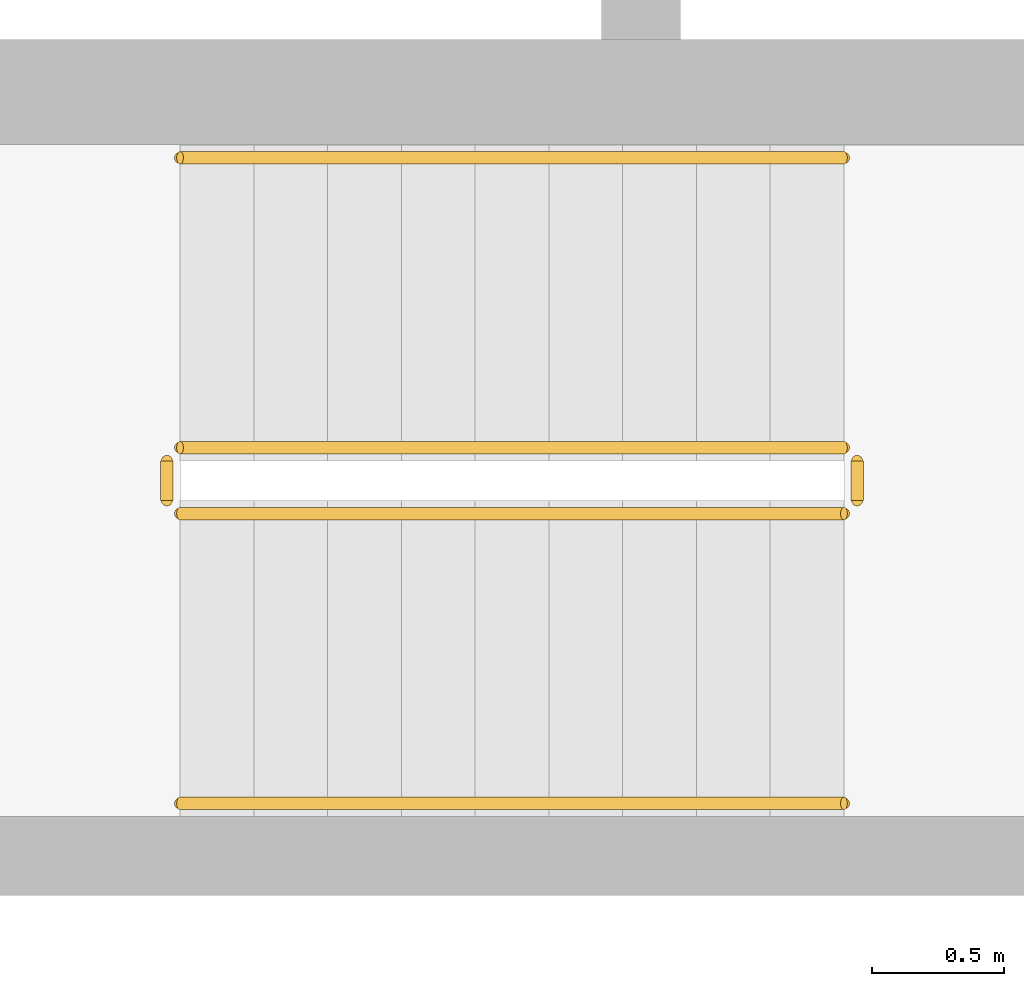
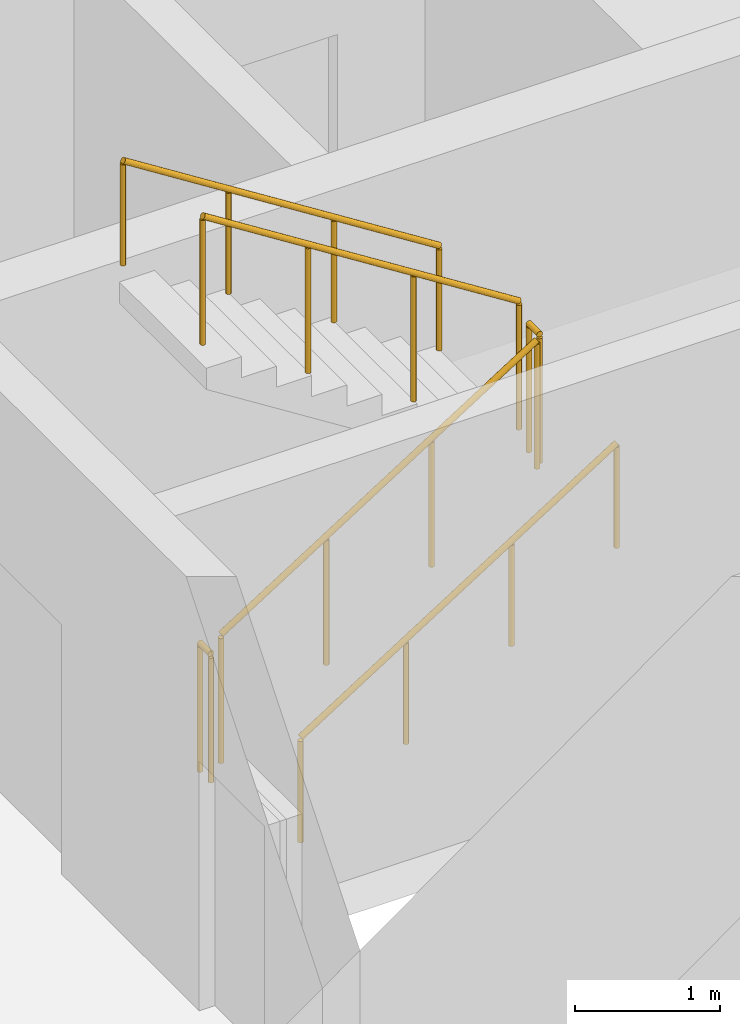
# One storey, part 16 of 19: 6 railings.
"""IFC4 building model written with IfcOpenShell, lengths in metres."""

from ifc_helpers import new_model, si_unit, direction, frame, origin, origin_2d, place, context, subcontext, project, spatial, circle, extrude, material, type_object, element, save


model = new_model("IFC4")

# Units and contexts
model_context = context("Model", 3, precision=1e-05, world=origin(), true_north=direction((0.0, 1.0)))
body_context = subcontext(model_context, "Body", "Model", "MODEL_VIEW")
ifc_project = project(units=[si_unit("LENGTHUNIT", "METRE"), si_unit("AREAUNIT", "SQUARE_METRE"), si_unit("VOLUMEUNIT", "CUBIC_METRE"), si_unit("PLANEANGLEUNIT", "RADIAN"), si_unit("MASSUNIT", "GRAM", prefix="KILO")], contexts=[model_context])

# Site, building, storey
site_placement = place(None, origin())
site = spatial("IfcSite", under=ifc_project, at=site_placement, CompositionType="ELEMENT")
building_placement = place(site_placement, origin())
building = spatial("IfcBuilding", under=site, at=building_placement, Name="Ostrand Prow Hotel Tower", CompositionType="ELEMENT")
storey_placement = place(building_placement, frame((0.0, 0.0, 50.25)))
storey = spatial("IfcBuildingStorey", under=building, at=storey_placement, Name="L10", CompositionType="ELEMENT", Elevation=50.25)

# Railings
ifc_material_1 = material(Name="Painted steel", Category="steel")
railing_type_1 = type_object("IfcRailingType", Name="Stair guard 1100", PredefinedType="GUARDRAIL", material=ifc_material_1)
railing_1_placement = place(storey_placement, frame((57.199951171875, -11.75, 0.177490234375)))
element("IfcRailing", 1, at=railing_1_placement, inside=storey, type_object=railing_type_1, Name="L10 ST2C stair guard 1", PredefinedType="GUARDRAIL", context=body_context, shape_type="SweptSolid", body=[
    extrude(circle(Radius=0.02392578125, at=origin_2d()), frame((0.0, 0.0, 1.076171875), z_axis=(0.84460694969, 0.0, 0.535386869969), x_axis=(0.0, 1.0, 0.0)), (0.0, 0.0, 1.0), 2.983642578125),
    extrude(circle(Radius=0.02099609375, at=origin_2d()), origin(), (0.0, 0.0, 1.0), 1.052001953125),
    extrude(circle(Radius=0.02099609375, at=origin_2d()), frame((0.840087890625, 0.0, 0.532470703125)), (0.0, 0.0, 1.0), 1.052001953125),
    extrude(circle(Radius=0.02099609375, at=origin_2d()), frame((1.679931640625, 0.0, 1.06494140625)), (0.0, 0.0, 1.0), 1.052001953125),
    extrude(circle(Radius=0.02099609375, at=origin_2d()), frame((2.52001953125, 0.0, 1.597412109375)), (0.0, 0.0, 1.0), 1.052001953125),
])
railing_2_placement = place(storey_placement, frame((59.77001953125, -11.699951171875, 1.77490234375)))
element("IfcRailing", 2, at=railing_2_placement, inside=storey, type_object=railing_type_1, Name="L10 ST2C stair guard 2", PredefinedType="GUARDRAIL", context=body_context, shape_type="SweptSolid", body=[
    extrude(circle(Radius=0.02392578125, at=origin_2d()), frame((0.0, 0.0, 1.076171875), z_axis=(0.0, 1.0, 0.0), x_axis=(-1.0, 0.0, 0.0)), (0.0, 0.0, 1.0), 0.14990234375),
    extrude(circle(Radius=0.02099609375, at=origin_2d()), origin(), (0.0, 0.0, 1.0), 1.052001953125),
    extrude(circle(Radius=0.02099609375, at=origin_2d()), frame((0.0, 0.14990234375, 0.0)), (0.0, 0.0, 1.0), 1.052001953125),
])
railing_3_placement = place(storey_placement, frame((59.719970703125, -11.5, 1.952392578125)))
element("IfcRailing", 3, at=railing_3_placement, inside=storey, type_object=railing_type_1, Name="L10 ST2C stair guard 3", PredefinedType="GUARDRAIL", context=body_context, shape_type="SweptSolid", body=[
    extrude(circle(Radius=0.02392578125, at=origin_2d()), frame((0.0, 0.0, 1.076171875), z_axis=(-0.84456994832, 0.0, 0.535445237532), x_axis=(0.0, -1.0, 0.0)), (0.0, 0.0, 1.0), 2.98388671875),
    extrude(circle(Radius=0.02099609375, at=origin_2d()), origin(), (0.0, 0.0, 1.0), 1.052001953125),
    extrude(circle(Radius=0.02099609375, at=origin_2d()), frame((-0.840087890625, 0.0, 0.532470703125)), (0.0, 0.0, 1.0), 1.052001953125),
    extrude(circle(Radius=0.02099609375, at=origin_2d()), frame((-1.679931640625, 0.0, 1.065185546875)), (0.0, 0.0, 1.0), 1.052001953125),
    extrude(circle(Radius=0.02099609375, at=origin_2d()), frame((-2.52001953125, 0.0, 1.59765625)), (0.0, 0.0, 1.0), 1.052001953125),
])
railing_4_placement = place(storey_placement, frame((57.14990234375, -11.699951171875, 0.0)))
element("IfcRailing", 4, at=railing_4_placement, inside=storey, type_object=railing_type_1, Name="L10 ST2C stair guard 4", PredefinedType="GUARDRAIL", context=body_context, shape_type="SweptSolid", body=[
    extrude(circle(Radius=0.02392578125, at=origin_2d()), frame((0.0, 0.0, 1.076171875), z_axis=(0.0, 1.0, 0.0), x_axis=(-1.0, 0.0, 0.0)), (0.0, 0.0, 1.0), 0.14990234375),
    extrude(circle(Radius=0.02099609375, at=origin_2d()), origin(), (0.0, 0.0, 1.0), 1.052001953125),
    extrude(circle(Radius=0.02099609375, at=origin_2d()), frame((0.0, 0.14990234375, 0.0)), (0.0, 0.0, 1.0), 1.052001953125),
])
ifc_material_2 = material(Name="Stainless steel", Category="steel")
railing_type_2 = type_object("IfcRailingType", Name="Stair handrail 900", PredefinedType="HANDRAIL", material=ifc_material_2)
railing_5_placement = place(storey_placement, frame((57.199951171875, -12.85009765625, 0.177490234375)))
element("IfcRailing", 5, at=railing_5_placement, inside=storey, type_object=railing_type_2, Name="L10 ST2C stair handrail 1", PredefinedType="HANDRAIL", context=body_context, shape_type="SweptSolid", body=[
    extrude(circle(Radius=0.02392578125, at=origin_2d()), frame((0.0, 0.0, 0.8759765625), z_axis=(0.84460694969, 0.0, 0.535386869969), x_axis=(0.0, 1.0, 0.0)), (0.0, 0.0, 1.0), 2.983642578125),
    extrude(circle(Radius=0.02099609375, at=origin_2d()), origin(), (0.0, 0.0, 1.0), 0.851806640625),
    extrude(circle(Radius=0.02099609375, at=origin_2d()), frame((0.840087890625, 0.0, 0.532470703125)), (0.0, 0.0, 1.0), 0.851806640625),
    extrude(circle(Radius=0.02099609375, at=origin_2d()), frame((1.679931640625, 0.0, 1.06494140625)), (0.0, 0.0, 1.0), 0.851806640625),
    extrude(circle(Radius=0.02099609375, at=origin_2d()), frame((2.52001953125, 0.0, 1.597412109375)), (0.0, 0.0, 1.0), 0.851806640625),
])
railing_6_placement = place(storey_placement, frame((59.719970703125, -10.39990234375, 1.952392578125)))
element("IfcRailing", 6, at=railing_6_placement, inside=storey, type_object=railing_type_2, Name="L10 ST2C stair handrail 2", PredefinedType="HANDRAIL", context=body_context, shape_type="SweptSolid", body=[
    extrude(circle(Radius=0.02392578125, at=origin_2d()), frame((0.0, 0.0, 0.8759765625), z_axis=(-0.84456994832, 0.0, 0.535445237532), x_axis=(0.0, -1.0, 0.0)), (0.0, 0.0, 1.0), 2.98388671875),
    extrude(circle(Radius=0.02099609375, at=origin_2d()), origin(), (0.0, 0.0, 1.0), 0.851806640625),
    extrude(circle(Radius=0.02099609375, at=origin_2d()), frame((-0.840087890625, 0.0, 0.532470703125)), (0.0, 0.0, 1.0), 0.851806640625),
    extrude(circle(Radius=0.02099609375, at=origin_2d()), frame((-1.679931640625, 0.0, 1.065185546875)), (0.0, 0.0, 1.0), 0.851806640625),
    extrude(circle(Radius=0.02099609375, at=origin_2d()), frame((-2.52001953125, 0.0, 1.59765625)), (0.0, 0.0, 1.0), 0.851806640625),
])

save(model, "model.ifc")
